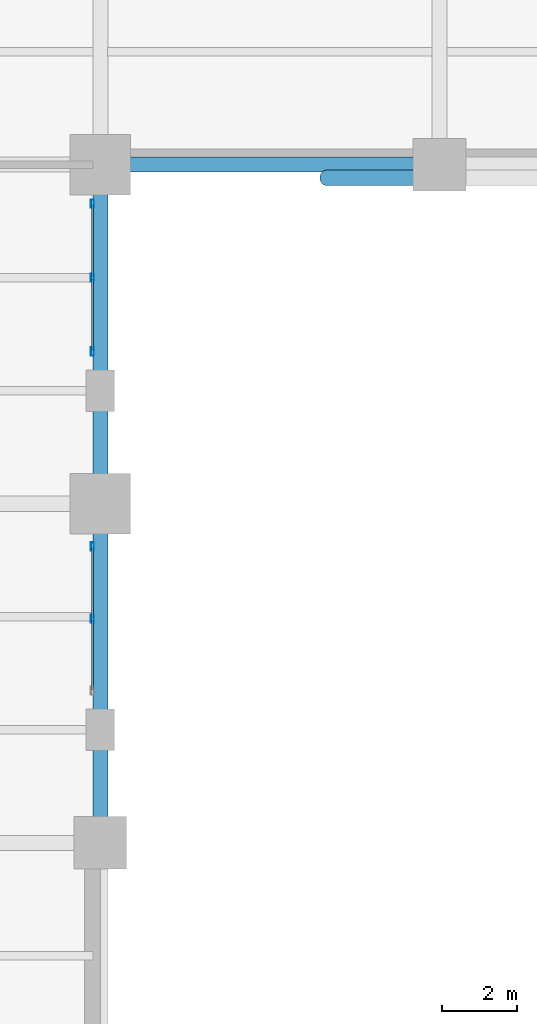
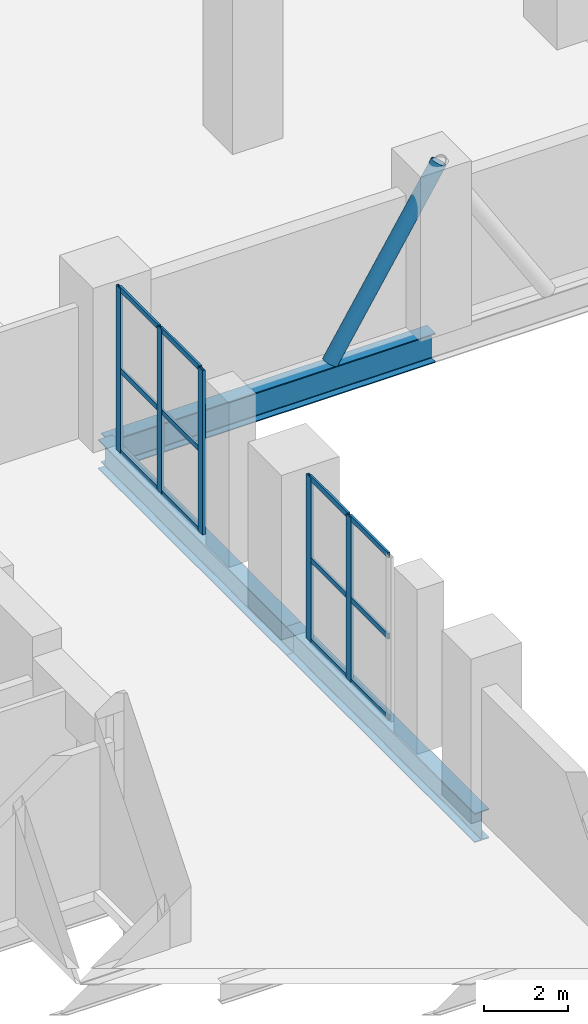
# One storey, part 4 of 13: 18 members, 3 beams, 2 elements without a shape of their own.
"""IFC4 building model written with IfcOpenShell, lengths in metres."""

import ifcopenshell
import ifcopenshell.guid

model = None  # the IFC model being written
_history = None  # IfcOwnerHistory: only IFC2X3 demands one
_inside = {}  # id of a spatial element -> (the spatial element, [elements in it])
_under = {}  # id of a project, library or spatial element -> (it, [spatial elements below it])
_declared = {}  # id of a project -> (the project, [libraries it declares])
_typed = {}  # id of a type object -> (the type object, [elements of that type])
_made_of = {}  # id of a material, layer set ... -> (it, [elements and type objects made of it])


def new_model(schema):
    """Start an empty IFC model of exactly this schema.

    Asked for "IFC4X3", IfcOpenShell would pick the latest addendum, in which some entities
    have other attributes; the version numbers below select the first issue.
    IFC2X3 requires an IfcOwnerHistory on every rooted entity: one is made here for all.
    """
    global model, _history
    if schema == "IFC4X3":
        model = ifcopenshell.file(schema_version=(4, 3, 0, 0))
    else:
        model = ifcopenshell.file(schema=schema)
    _inside.clear()
    _under.clear()
    _declared.clear()
    _typed.clear()
    _made_of.clear()
    _history = None
    if model.schema == "IFC2X3":
        org = make("IfcOrganization", Name="unknown")
        user = make(
            "IfcPersonAndOrganization",
            ThePerson=make("IfcPerson", FamilyName="unknown"),
            TheOrganization=org,
        )
        app = make(
            "IfcApplication",
            ApplicationDeveloper=org,
            Version="unknown",
            ApplicationFullName="unknown",
            ApplicationIdentifier="unknown",
        )
        _history = make(
            "IfcOwnerHistory",
            OwningUser=user,
            OwningApplication=app,
            ChangeAction="ADDED",
            CreationDate=0,
        )
    return model


def make(cls, **values):
    """One entity of the class cls with the attributes given. An attribute that is None is left unset."""
    return model.create_entity(
        cls, **{name: value for name, value in values.items() if value is not None}
    )


def rooted(cls, **values):
    """An entity with a GlobalId (a new one), such as an element, a storey or a relation."""
    return make(cls, GlobalId=ifcopenshell.guid.new(), OwnerHistory=_history, **values)


def si_unit(unit_type, name, prefix=None):
    """IfcSIUnit, for example si_unit("LENGTHUNIT", "METRE", prefix="MILLI")."""
    return make("IfcSIUnit", UnitType=unit_type, Prefix=prefix, Name=name)


def assignment(units):
    """IfcUnitAssignment: the units of a project."""
    return None if units is None else make("IfcUnitAssignment", Units=units)


def point(xyz):
    """IfcCartesianPoint."""
    return None if xyz is None else make("IfcCartesianPoint", Coordinates=xyz)


def direction(xyz):
    """IfcDirection."""
    return None if xyz is None else make("IfcDirection", DirectionRatios=xyz)


def frame(location, z_axis=None, x_axis=None):
    """IfcAxis2Placement3D, a coordinate frame: its origin and axes. An axis left out is left unset."""
    return make(
        "IfcAxis2Placement3D",
        Location=point(location),
        Axis=direction(z_axis),
        RefDirection=direction(x_axis),
    )


def frame_2d(location, x_axis=None):
    """IfcAxis2Placement2D, a coordinate frame in the plane: its origin and x axis."""
    return make(
        "IfcAxis2Placement2D", Location=point(location), RefDirection=direction(x_axis)
    )


def origin():
    """The frame at (0, 0, 0) with its axes left unset."""
    return frame((0.0, 0.0, 0.0))


def origin_2d():
    """The frame at (0, 0) in the plane with its x axis left unset."""
    return frame_2d((0.0, 0.0))


def place(relative_to, where):
    """IfcLocalPlacement: puts the frame where relative to a parent placement (None: the world)."""
    return make(
        "IfcLocalPlacement", PlacementRelTo=relative_to, RelativePlacement=where
    )


def context(
    kind, dimensions, precision=None, world=None, true_north=None, identifier=None
):
    """IfcGeometricRepresentationContext, for example the 3D "Model" context."""
    return make(
        "IfcGeometricRepresentationContext",
        ContextIdentifier=identifier,
        ContextType=kind,
        CoordinateSpaceDimension=dimensions,
        Precision=precision,
        WorldCoordinateSystem=world,
        TrueNorth=true_north,
    )


def subcontext(parent, identifier, kind, view, scale=None):
    """IfcGeometricRepresentationSubContext, for example "Body" below "Model"."""
    return make(
        "IfcGeometricRepresentationSubContext",
        ContextIdentifier=identifier,
        ContextType=kind,
        ParentContext=parent,
        TargetScale=scale,
        TargetView=view,
    )


def project(units=None, contexts=None):
    """IfcProject with its units and contexts."""
    return rooted(
        "IfcProject",
        Name="project",
        RepresentationContexts=contexts,
        UnitsInContext=assignment(units),
    )


def spatial(cls, under=None, at=None, **own):
    """A site, building, storey or space (cls), placed at a placement, below another one or the project."""
    s = rooted(cls, ObjectPlacement=at, **own)
    if under is not None:
        _under.setdefault(under.id(), (under, []))[1].append(s)
    return s


def profile(cls, at=None, kind="AREA", **sizes):
    """A parametric profile (cls). Its sizes go by their IFC names, for example OverallWidth=200.0."""
    return make(cls, ProfileType=kind, Position=at, **sizes)


def hollow_rectangle(**sizes):
    """IfcRectangleHollowProfileDef."""
    return profile("IfcRectangleHollowProfileDef", **sizes)


def hollow_circle(**sizes):
    """IfcCircleHollowProfileDef."""
    return profile("IfcCircleHollowProfileDef", **sizes)


def i_section(**sizes):
    """IfcIShapeProfileDef."""
    return profile("IfcIShapeProfileDef", **sizes)


def extrude(swept, where, along, depth):
    """IfcExtrudedAreaSolid: the profile swept, set in the frame where, extruded along a direction by depth."""
    return make(
        "IfcExtrudedAreaSolid",
        SweptArea=swept,
        Position=where,
        ExtrudedDirection=direction(along),
        Depth=depth,
    )


def shape(context_of_items, identifier, shape_type, items):
    """IfcShapeRepresentation: the items that make up one representation, for example the "Body"."""
    return make(
        "IfcShapeRepresentation",
        ContextOfItems=context_of_items,
        RepresentationIdentifier=identifier,
        RepresentationType=shape_type,
        Items=items,
    )


def material(Name=None, Category=None):
    """IfcMaterial."""
    return make("IfcMaterial", Name=Name, Category=Category)


def layer(
    of_material, thickness, ventilated=None, Name=None, Category=None, Priority=None
):
    """IfcMaterialLayer: one layer of a wall or slab, of a material (None: an air gap)."""
    return make(
        "IfcMaterialLayer",
        Material=of_material,
        LayerThickness=thickness,
        IsVentilated=ventilated,
        Name=Name,
        Category=Category,
        Priority=Priority,
    )


def layer_set(layers, Name=None):
    """IfcMaterialLayerSet."""
    return make("IfcMaterialLayerSet", MaterialLayers=layers, LayerSetName=Name)


def material_profile(
    of_material, cross_section, Name=None, Category=None, Priority=None
):
    """IfcMaterialProfile: a cross section and its material."""
    return make(
        "IfcMaterialProfile",
        Name=Name,
        Material=of_material,
        Profile=cross_section,
        Priority=Priority,
        Category=Category,
    )


def profile_set(profiles, Name=None, composite=None):
    """IfcMaterialProfileSet."""
    return make(
        "IfcMaterialProfileSet",
        Name=Name,
        MaterialProfiles=profiles,
        CompositeProfile=composite,
    )


def made_of(thing, what):
    """Note that an element or type object is made of a material, layer set ...; save() writes the relation."""
    if what is not None:
        _made_of.setdefault(what.id(), (what, []))[1].append(thing)
    return thing


def type_object(cls, material=None, **own):
    """A type object (cls), such as IfcWallType, which elements share."""
    return made_of(rooted(cls, **own), material)


def element(
    cls,
    number,
    at=None,
    inside=None,
    cuts=None,
    type_object=None,
    material=None,
    context=None,
    identifier="Body",
    shape_type=None,
    held_by="IfcProductDefinitionShape",
    body=None,
    shapes=None,
    **own,
):
    """One element of the class cls, such as IfcWall. Its Tag is "e" and its number.

    at: its placement. inside: the storey or other place that contains it. cuts: it is an
    opening in that element (IfcRelVoidsElement). A single representation is given by context,
    identifier, shape_type and body (its items); several are given by shapes. held_by: the class
    of the entity that holds the representations. save() writes the other relations.
    """
    e = rooted(cls, Tag="e%d" % number, ObjectPlacement=at, **own)
    if body is not None:
        shapes = [shape(context, identifier, shape_type, body)]
    if shapes is not None:
        e.Representation = make(held_by, Representations=shapes)
    if inside is not None:
        _inside.setdefault(inside.id(), (inside, []))[1].append(e)
    if cuts is not None:
        rooted(
            "IfcRelVoidsElement", RelatingBuildingElement=cuts, RelatedOpeningElement=e
        )
    if type_object is not None:
        _typed.setdefault(type_object.id(), (type_object, []))[1].append(e)
    return made_of(e, material)


def aggregate(whole, parts):
    """IfcRelAggregates: a whole, such as a stair, and the parts it consists of."""
    return rooted("IfcRelAggregates", RelatingObject=whole, RelatedObjects=parts)


def save(model, path):
    """Write the relations noted so far, then the file.

    IfcRelAggregates (storeys below a building ...), IfcRelContainedInSpatialStructure (elements
    in a storey), IfcRelDefinesByType, IfcRelAssociatesMaterial and IfcRelDeclares: one each for
    every whole, place, type object, material and project.
    """
    for whole, parts in _under.values():
        aggregate(whole, parts)
    for where, things in _inside.values():
        rooted(
            "IfcRelContainedInSpatialStructure",
            RelatedElements=things,
            RelatingStructure=where,
        )
    for kind, things in _typed.values():
        rooted("IfcRelDefinesByType", RelatedObjects=things, RelatingType=kind)
    for what, things in _made_of.values():
        rooted("IfcRelAssociatesMaterial", RelatedObjects=things, RelatingMaterial=what)
    for by, libraries in _declared.values():
        rooted("IfcRelDeclares", RelatingContext=by, RelatedDefinitions=libraries)
    model.write(path)


model = new_model("IFC4")

# Units and contexts
model_context = context("Model", 3, precision=1e-05, world=origin(), true_north=direction((0.0, 1.0)))
body_context = subcontext(model_context, "Body", "Model", "MODEL_VIEW")
ifc_project = project(units=[si_unit("LENGTHUNIT", "METRE"), si_unit("AREAUNIT", "SQUARE_METRE"), si_unit("VOLUMEUNIT", "CUBIC_METRE"), si_unit("PLANEANGLEUNIT", "RADIAN"), si_unit("MASSUNIT", "GRAM", prefix="KILO")], contexts=[model_context])

# Site, building, storey
site_placement = place(None, origin())
site = spatial("IfcSite", under=ifc_project, at=site_placement, CompositionType="ELEMENT")
building_placement = place(site_placement, origin())
building = spatial("IfcBuilding", under=site, at=building_placement, Name="Mawjdan Bourse Tower", CompositionType="ELEMENT")
storey_placement = place(building_placement, frame((0.0, 0.0, 10.800048828125)))
storey = spatial("IfcBuildingStorey", under=building, at=storey_placement, Name="L02", CompositionType="ELEMENT", Elevation=10.800048828125)

# Member
ifc_material_1 = material(Name="Structural Steel S460", Category="steel")
ifc_material_profile_1 = material_profile(ifc_material_1, hollow_circle(Radius=0.203125, WallThickness=0.01611328125, at=origin_2d()), Name="CHS406X16")
ifc_profile_set_1 = profile_set([ifc_material_profile_1], Name="Structural Steel S460")
member_type_1 = type_object("IfcMemberType", Name="ARC-CHS406X16", PredefinedType="USERDEFINED", material=ifc_profile_set_1)
member_1_placement = place(storey_placement, frame((39.0, 29.64990234375, 0.0), z_axis=(0.529995063044, 0.0, 0.848000727092), x_axis=(0.0, 1.0, 0.0)))
element("IfcMember", 1, at=member_1_placement, inside=storey, type_object=member_type_1, Name="L02 Giant Arch Structural Rib NORTH 5", ObjectType="ARCH RIB", PredefinedType="USERDEFINED", context=body_context, shape_type="SweptSolid", body=[
    extrude(hollow_circle(Radius=0.203125, WallThickness=0.01611328125, at=origin_2d()), origin(), (0.0, 0.0, 1.0), 5.660400390625),
])

# Beams
ifc_material_2 = material(Name="Structural Steel S355", Category="steel")
ifc_material_profile_2 = material_profile(ifc_material_2, i_section(OverallWidth=0.39892578125, OverallDepth=0.85595703125, WebThickness=0.018310546875, FlangeThickness=0.029296875, FilletRadius=0.0234375, at=origin_2d()), Name="W33X201")
ifc_profile_set_2 = profile_set([ifc_material_profile_2], Name="Structural Steel S355")
beam_type = type_object("IfcBeamType", Name="GRD-W33X201", PredefinedType="BEAM", material=ifc_profile_set_2)
for number, where, z_axis, x_axis, name in (
    (2, (33.0, 12.0, -0.72802734375), (0.0, 1.0, 0.0), (-1.0, 0.0, 0.0), "L02 Podium Primary Girder 020"),
    (3, (33.0, 21.0, -0.72802734375), (0.0, 1.0, 0.0), (-1.0, 0.0, 0.0), "L02 Podium Primary Girder 021"),
    (4, (33.0, 30.0, -0.72802734375), (1.0, 0.0, 0.0), (0.0, 1.0, 0.0), "L02 Podium Tie Girder 057"),
):
    element("IfcBeam", number, at=place(storey_placement, frame(where, z_axis=z_axis, x_axis=x_axis)), inside=storey, type_object=beam_type, Name=name, PredefinedType="BEAM", context=body_context, shape_type="SweptSolid", body=[
        extrude(i_section(OverallWidth=0.39892578125, OverallDepth=0.85595703125, WebThickness=0.018310546875, FlangeThickness=0.029296875, FilletRadius=0.0234375, at=origin_2d()), origin(), (0.0, 0.0, 1.0), 9.0),
    ])

# Curtain wall, members
ifc_material_3 = material(Name="Thermally Broken Aluminium and Solar Glass", Category="aluminium")
ifc_layer = layer(ifc_material_3, 0.219970703125)
ifc_layer_set = layer_set([ifc_layer], Name="Thermally Broken Aluminium and Solar Glass")
curtain_wall_type = type_object("IfcCurtainWallType", Name="CW-ARCH", PredefinedType="USERDEFINED", material=ifc_layer_set)
curtain_wall_1_placement = place(storey_placement, origin())
curtain_wall_1 = element("IfcCurtainWall", 5, at=curtain_wall_1_placement, inside=storey, type_object=curtain_wall_type, Name="L02 Giant Arch West Glazed Wall South", ObjectType="ARCHWAY GLAZED CURTAIN WALL", PredefinedType="USERDEFINED")
ifc_material_4 = material(Name="Thermally Broken Anodised Aluminium", Category="aluminium")
ifc_material_profile_3 = material_profile(ifc_material_4, hollow_rectangle(XDim=0.074951171875, YDim=0.219970703125, WallThickness=0.0048828125, at=origin_2d()), Name="ALU-MUL-220X75")
ifc_profile_set_3 = profile_set([ifc_material_profile_3], Name="Thermally Broken Anodised Aluminium")
member_type_2 = type_object("IfcMemberType", Name="MUL-ALU-MUL-220X75", PredefinedType="MULLION", material=ifc_profile_set_3)
member_2_placement = place(storey_placement, frame((32.7900390625, 19.862548828125, 0.0), z_axis=(0.0, 0.0, 1.0), x_axis=(1.0, 0.0, 0.0)))
member_2 = element("IfcMember", 6, at=member_2_placement, type_object=member_type_2, Name="CW-ARCH-L02-ARCH-W1 mullion 1", PredefinedType="MULLION", context=body_context, shape_type="SweptSolid", body=[
    extrude(hollow_rectangle(XDim=0.074951171875, YDim=0.219970703125, WallThickness=0.0048828125, at=origin_2d()), origin(), (0.0, 0.0, 1.0), 4.800048828125),
])
member_3_placement = place(storey_placement, frame((32.7900390625, 17.949951171875, 0.0), z_axis=(0.0, 0.0, 1.0), x_axis=(1.0, 0.0, 0.0)))
member_3 = element("IfcMember", 7, at=member_3_placement, type_object=member_type_2, Name="CW-ARCH-L02-ARCH-W1 mullion 2", PredefinedType="MULLION", context=body_context, shape_type="SweptSolid", body=[
    extrude(hollow_rectangle(XDim=0.074951171875, YDim=0.219970703125, WallThickness=0.0048828125, at=origin_2d()), origin(), (0.0, 0.0, 1.0), 4.800048828125),
])

curtain_wall_2_placement = place(storey_placement, origin())
curtain_wall_2 = element("IfcCurtainWall", 8, at=curtain_wall_2_placement, inside=storey, type_object=curtain_wall_type, Name="L02 Giant Arch West Glazed Wall North", ObjectType="ARCHWAY GLAZED CURTAIN WALL", PredefinedType="USERDEFINED")
member_4_placement = place(storey_placement, frame((32.7900390625, 28.96240234375, 0.0), z_axis=(0.0, 0.0, 1.0), x_axis=(1.0, 0.0, 0.0)))
member_4 = element("IfcMember", 9, at=member_4_placement, type_object=member_type_2, Name="CW-ARCH-L02-ARCH-W2 mullion 1", PredefinedType="MULLION", context=body_context, shape_type="SweptSolid", body=[
    extrude(hollow_rectangle(XDim=0.074951171875, YDim=0.219970703125, WallThickness=0.0048828125, at=origin_2d()), origin(), (0.0, 0.0, 1.0), 4.800048828125),
])
member_5_placement = place(storey_placement, frame((32.7900390625, 27.0, 0.0), z_axis=(0.0, 0.0, 1.0), x_axis=(1.0, 0.0, 0.0)))
member_5 = element("IfcMember", 10, at=member_5_placement, type_object=member_type_2, Name="CW-ARCH-L02-ARCH-W2 mullion 2", PredefinedType="MULLION", context=body_context, shape_type="SweptSolid", body=[
    extrude(hollow_rectangle(XDim=0.074951171875, YDim=0.219970703125, WallThickness=0.0048828125, at=origin_2d()), origin(), (0.0, 0.0, 1.0), 4.800048828125),
])
member_6_placement = place(storey_placement, frame((32.7900390625, 25.03759765625, 0.0), z_axis=(0.0, 0.0, 1.0), x_axis=(1.0, 0.0, 0.0)))
member_6 = element("IfcMember", 11, at=member_6_placement, type_object=member_type_2, Name="CW-ARCH-L02-ARCH-W2 mullion 3", PredefinedType="MULLION", context=body_context, shape_type="SweptSolid", body=[
    extrude(hollow_rectangle(XDim=0.074951171875, YDim=0.219970703125, WallThickness=0.0048828125, at=origin_2d()), origin(), (0.0, 0.0, 1.0), 4.800048828125),
])

# Member
ifc_material_profile_4 = material_profile(ifc_material_4, hollow_rectangle(XDim=0.06005859375, YDim=0.155029296875, WallThickness=0.00390625, at=origin_2d()), Name="ALU-TRN-155X60")
ifc_profile_set_4 = profile_set([ifc_material_profile_4], Name="Thermally Broken Anodised Aluminium")
member_type_3 = type_object("IfcMemberType", Name="TRN-ALU-TRN-155X60", PredefinedType="USERDEFINED", material=ifc_profile_set_4)
member_7_placement = place(storey_placement, frame((32.7900390625, 19.824951171875, 0.030029296875), z_axis=(0.0, -1.0, 0.0), x_axis=(1.0, 0.0, 0.0)))
member_7 = element("IfcMember", 12, at=member_7_placement, type_object=member_type_3, Name="CW-ARCH-L02-ARCH-W1 transom 1.1", ObjectType="TRANSOM", PredefinedType="USERDEFINED", context=body_context, shape_type="SweptSolid", body=[
    extrude(hollow_rectangle(XDim=0.06005859375, YDim=0.155029296875, WallThickness=0.00390625, at=origin_2d()), origin(), (0.0, 0.0, 1.0), 1.83740234375),
])

member_8_placement = place(storey_placement, frame((32.7900390625, 19.824951171875, 2.39990234375), z_axis=(0.0, -1.0, 0.0), x_axis=(1.0, 0.0, 0.0)))
member_8 = element("IfcMember", 13, at=member_8_placement, type_object=member_type_3, Name="CW-ARCH-L02-ARCH-W1 transom 1.2", ObjectType="TRANSOM", PredefinedType="USERDEFINED", context=body_context, shape_type="SweptSolid", body=[
    extrude(hollow_rectangle(XDim=0.06005859375, YDim=0.155029296875, WallThickness=0.00390625, at=origin_2d()), origin(), (0.0, 0.0, 1.0), 1.83740234375),
])

member_9_placement = place(storey_placement, frame((32.7900390625, 19.824951171875, 4.77001953125), z_axis=(0.0, -1.0, 0.0), x_axis=(1.0, 0.0, 0.0)))
member_9 = element("IfcMember", 14, at=member_9_placement, type_object=member_type_3, Name="CW-ARCH-L02-ARCH-W1 transom 1.3", ObjectType="TRANSOM", PredefinedType="USERDEFINED", context=body_context, shape_type="SweptSolid", body=[
    extrude(hollow_rectangle(XDim=0.06005859375, YDim=0.155029296875, WallThickness=0.00390625, at=origin_2d()), origin(), (0.0, 0.0, 1.0), 1.83740234375),
])

member_10_placement = place(storey_placement, frame((32.7900390625, 17.91259765625, 0.030029296875), z_axis=(0.0, -1.0, 0.0), x_axis=(1.0, 0.0, 0.0)))
member_10 = element("IfcMember", 15, at=member_10_placement, type_object=member_type_3, Name="CW-ARCH-L02-ARCH-W1 transom 2.1", ObjectType="TRANSOM", PredefinedType="USERDEFINED", context=body_context, shape_type="SweptSolid", body=[
    extrude(hollow_rectangle(XDim=0.06005859375, YDim=0.155029296875, WallThickness=0.00390625, at=origin_2d()), origin(), (0.0, 0.0, 1.0), 1.837646484375),
])

member_11_placement = place(storey_placement, frame((32.7900390625, 17.91259765625, 2.39990234375), z_axis=(0.0, -1.0, 0.0), x_axis=(1.0, 0.0, 0.0)))
member_11 = element("IfcMember", 16, at=member_11_placement, type_object=member_type_3, Name="CW-ARCH-L02-ARCH-W1 transom 2.2", ObjectType="TRANSOM", PredefinedType="USERDEFINED", context=body_context, shape_type="SweptSolid", body=[
    extrude(hollow_rectangle(XDim=0.06005859375, YDim=0.155029296875, WallThickness=0.00390625, at=origin_2d()), origin(), (0.0, 0.0, 1.0), 1.837646484375),
])

member_12_placement = place(storey_placement, frame((32.7900390625, 17.91259765625, 4.77001953125), z_axis=(0.0, -1.0, 0.0), x_axis=(1.0, 0.0, 0.0)))
member_12 = element("IfcMember", 17, at=member_12_placement, type_object=member_type_3, Name="CW-ARCH-L02-ARCH-W1 transom 2.3", ObjectType="TRANSOM", PredefinedType="USERDEFINED", context=body_context, shape_type="SweptSolid", body=[
    extrude(hollow_rectangle(XDim=0.06005859375, YDim=0.155029296875, WallThickness=0.00390625, at=origin_2d()), origin(), (0.0, 0.0, 1.0), 1.837646484375),
])

aggregate(curtain_wall_1, [member_2, member_3, member_7, member_8, member_9, member_10, member_11, member_12])

member_13_placement = place(storey_placement, frame((32.7900390625, 28.925048828125, 0.030029296875), z_axis=(0.0, -1.0, 0.0), x_axis=(1.0, 0.0, 0.0)))
member_13 = element("IfcMember", 18, at=member_13_placement, type_object=member_type_3, Name="CW-ARCH-L02-ARCH-W2 transom 1.1", ObjectType="TRANSOM", PredefinedType="USERDEFINED", context=body_context, shape_type="SweptSolid", body=[
    extrude(hollow_rectangle(XDim=0.06005859375, YDim=0.155029296875, WallThickness=0.00390625, at=origin_2d()), origin(), (0.0, 0.0, 1.0), 1.887451171875),
])

member_14_placement = place(storey_placement, frame((32.7900390625, 28.925048828125, 2.39990234375), z_axis=(0.0, -1.0, 0.0), x_axis=(1.0, 0.0, 0.0)))
member_14 = element("IfcMember", 19, at=member_14_placement, type_object=member_type_3, Name="CW-ARCH-L02-ARCH-W2 transom 1.2", ObjectType="TRANSOM", PredefinedType="USERDEFINED", context=body_context, shape_type="SweptSolid", body=[
    extrude(hollow_rectangle(XDim=0.06005859375, YDim=0.155029296875, WallThickness=0.00390625, at=origin_2d()), origin(), (0.0, 0.0, 1.0), 1.887451171875),
])

member_15_placement = place(storey_placement, frame((32.7900390625, 28.925048828125, 4.77001953125), z_axis=(0.0, -1.0, 0.0), x_axis=(1.0, 0.0, 0.0)))
member_15 = element("IfcMember", 20, at=member_15_placement, type_object=member_type_3, Name="CW-ARCH-L02-ARCH-W2 transom 1.3", ObjectType="TRANSOM", PredefinedType="USERDEFINED", context=body_context, shape_type="SweptSolid", body=[
    extrude(hollow_rectangle(XDim=0.06005859375, YDim=0.155029296875, WallThickness=0.00390625, at=origin_2d()), origin(), (0.0, 0.0, 1.0), 1.887451171875),
])

member_16_placement = place(storey_placement, frame((32.7900390625, 26.96240234375, 0.030029296875), z_axis=(0.0, -1.0, 0.0), x_axis=(1.0, 0.0, 0.0)))
member_16 = element("IfcMember", 21, at=member_16_placement, type_object=member_type_3, Name="CW-ARCH-L02-ARCH-W2 transom 2.1", ObjectType="TRANSOM", PredefinedType="USERDEFINED", context=body_context, shape_type="SweptSolid", body=[
    extrude(hollow_rectangle(XDim=0.06005859375, YDim=0.155029296875, WallThickness=0.00390625, at=origin_2d()), origin(), (0.0, 0.0, 1.0), 1.887451171875),
])

member_17_placement = place(storey_placement, frame((32.7900390625, 26.96240234375, 2.39990234375), z_axis=(0.0, -1.0, 0.0), x_axis=(1.0, 0.0, 0.0)))
member_17 = element("IfcMember", 22, at=member_17_placement, type_object=member_type_3, Name="CW-ARCH-L02-ARCH-W2 transom 2.2", ObjectType="TRANSOM", PredefinedType="USERDEFINED", context=body_context, shape_type="SweptSolid", body=[
    extrude(hollow_rectangle(XDim=0.06005859375, YDim=0.155029296875, WallThickness=0.00390625, at=origin_2d()), origin(), (0.0, 0.0, 1.0), 1.887451171875),
])

member_18_placement = place(storey_placement, frame((32.7900390625, 26.96240234375, 4.77001953125), z_axis=(0.0, -1.0, 0.0), x_axis=(1.0, 0.0, 0.0)))
member_18 = element("IfcMember", 23, at=member_18_placement, type_object=member_type_3, Name="CW-ARCH-L02-ARCH-W2 transom 2.3", ObjectType="TRANSOM", PredefinedType="USERDEFINED", context=body_context, shape_type="SweptSolid", body=[
    extrude(hollow_rectangle(XDim=0.06005859375, YDim=0.155029296875, WallThickness=0.00390625, at=origin_2d()), origin(), (0.0, 0.0, 1.0), 1.887451171875),
])

aggregate(curtain_wall_2, [member_4, member_5, member_6, member_13, member_14, member_15, member_16, member_17, member_18])

save(model, "model.ifc")
